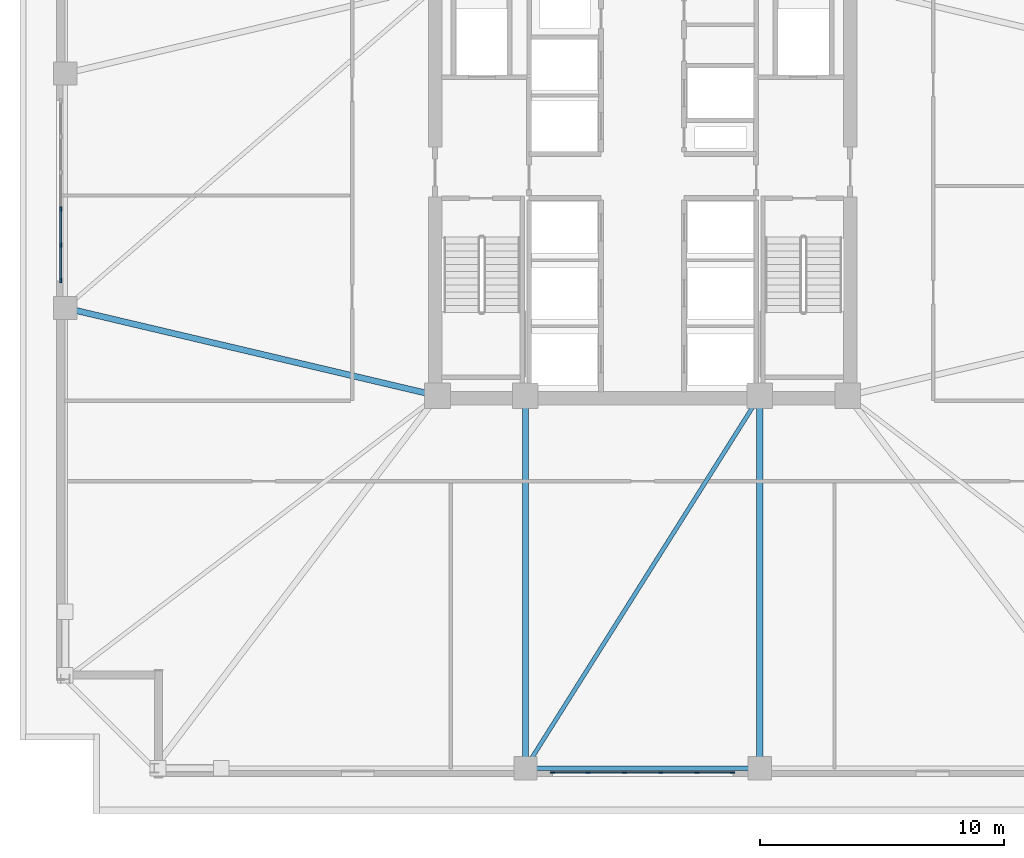
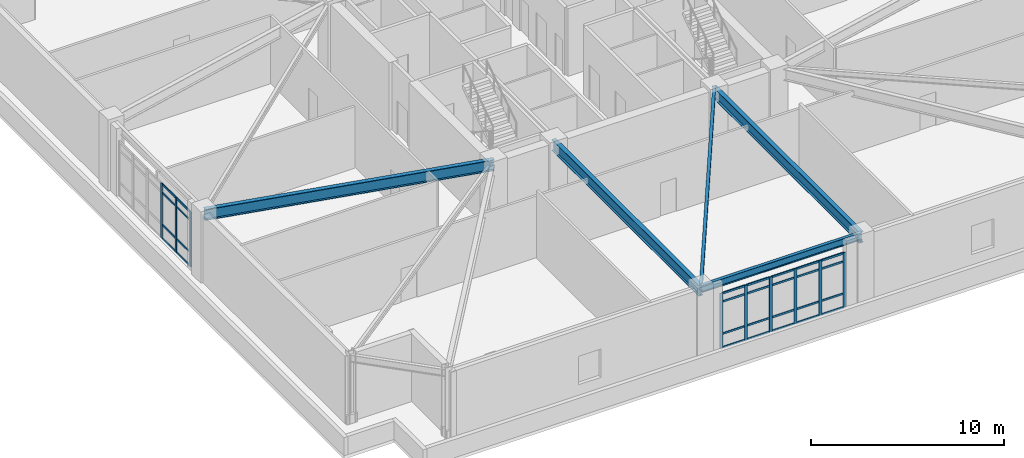
# One storey, part 2 of 13: 37 members, 5 beams, 2 elements without a shape of their own.
"""IFC4 building model written with IfcOpenShell, lengths in metres."""

import ifcopenshell
import ifcopenshell.guid

model = None  # the IFC model being written
_history = None  # IfcOwnerHistory: only IFC2X3 demands one
_inside = {}  # id of a spatial element -> (the spatial element, [elements in it])
_under = {}  # id of a project, library or spatial element -> (it, [spatial elements below it])
_declared = {}  # id of a project -> (the project, [libraries it declares])
_typed = {}  # id of a type object -> (the type object, [elements of that type])
_made_of = {}  # id of a material, layer set ... -> (it, [elements and type objects made of it])


def new_model(schema):
    """Start an empty IFC model of exactly this schema.

    Asked for "IFC4X3", IfcOpenShell would pick the latest addendum, in which some entities
    have other attributes; the version numbers below select the first issue.
    IFC2X3 requires an IfcOwnerHistory on every rooted entity: one is made here for all.
    """
    global model, _history
    if schema == "IFC4X3":
        model = ifcopenshell.file(schema_version=(4, 3, 0, 0))
    else:
        model = ifcopenshell.file(schema=schema)
    _inside.clear()
    _under.clear()
    _declared.clear()
    _typed.clear()
    _made_of.clear()
    _history = None
    if model.schema == "IFC2X3":
        org = make("IfcOrganization", Name="unknown")
        user = make(
            "IfcPersonAndOrganization",
            ThePerson=make("IfcPerson", FamilyName="unknown"),
            TheOrganization=org,
        )
        app = make(
            "IfcApplication",
            ApplicationDeveloper=org,
            Version="unknown",
            ApplicationFullName="unknown",
            ApplicationIdentifier="unknown",
        )
        _history = make(
            "IfcOwnerHistory",
            OwningUser=user,
            OwningApplication=app,
            ChangeAction="ADDED",
            CreationDate=0,
        )
    return model


def make(cls, **values):
    """One entity of the class cls with the attributes given. An attribute that is None is left unset."""
    return model.create_entity(
        cls, **{name: value for name, value in values.items() if value is not None}
    )


def rooted(cls, **values):
    """An entity with a GlobalId (a new one), such as an element, a storey or a relation."""
    return make(cls, GlobalId=ifcopenshell.guid.new(), OwnerHistory=_history, **values)


def si_unit(unit_type, name, prefix=None):
    """IfcSIUnit, for example si_unit("LENGTHUNIT", "METRE", prefix="MILLI")."""
    return make("IfcSIUnit", UnitType=unit_type, Prefix=prefix, Name=name)


def assignment(units):
    """IfcUnitAssignment: the units of a project."""
    return None if units is None else make("IfcUnitAssignment", Units=units)


def point(xyz):
    """IfcCartesianPoint."""
    return None if xyz is None else make("IfcCartesianPoint", Coordinates=xyz)


def direction(xyz):
    """IfcDirection."""
    return None if xyz is None else make("IfcDirection", DirectionRatios=xyz)


def frame(location, z_axis=None, x_axis=None):
    """IfcAxis2Placement3D, a coordinate frame: its origin and axes. An axis left out is left unset."""
    return make(
        "IfcAxis2Placement3D",
        Location=point(location),
        Axis=direction(z_axis),
        RefDirection=direction(x_axis),
    )


def frame_2d(location, x_axis=None):
    """IfcAxis2Placement2D, a coordinate frame in the plane: its origin and x axis."""
    return make(
        "IfcAxis2Placement2D", Location=point(location), RefDirection=direction(x_axis)
    )


def origin():
    """The frame at (0, 0, 0) with its axes left unset."""
    return frame((0.0, 0.0, 0.0))


def origin_2d():
    """The frame at (0, 0) in the plane with its x axis left unset."""
    return frame_2d((0.0, 0.0))


def place(relative_to, where):
    """IfcLocalPlacement: puts the frame where relative to a parent placement (None: the world)."""
    return make(
        "IfcLocalPlacement", PlacementRelTo=relative_to, RelativePlacement=where
    )


def context(
    kind, dimensions, precision=None, world=None, true_north=None, identifier=None
):
    """IfcGeometricRepresentationContext, for example the 3D "Model" context."""
    return make(
        "IfcGeometricRepresentationContext",
        ContextIdentifier=identifier,
        ContextType=kind,
        CoordinateSpaceDimension=dimensions,
        Precision=precision,
        WorldCoordinateSystem=world,
        TrueNorth=true_north,
    )


def subcontext(parent, identifier, kind, view, scale=None):
    """IfcGeometricRepresentationSubContext, for example "Body" below "Model"."""
    return make(
        "IfcGeometricRepresentationSubContext",
        ContextIdentifier=identifier,
        ContextType=kind,
        ParentContext=parent,
        TargetScale=scale,
        TargetView=view,
    )


def project(units=None, contexts=None):
    """IfcProject with its units and contexts."""
    return rooted(
        "IfcProject",
        Name="project",
        RepresentationContexts=contexts,
        UnitsInContext=assignment(units),
    )


def spatial(cls, under=None, at=None, **own):
    """A site, building, storey or space (cls), placed at a placement, below another one or the project."""
    s = rooted(cls, ObjectPlacement=at, **own)
    if under is not None:
        _under.setdefault(under.id(), (under, []))[1].append(s)
    return s


def profile(cls, at=None, kind="AREA", **sizes):
    """A parametric profile (cls). Its sizes go by their IFC names, for example OverallWidth=200.0."""
    return make(cls, ProfileType=kind, Position=at, **sizes)


def rectangle(**sizes):
    """IfcRectangleProfileDef."""
    return profile("IfcRectangleProfileDef", **sizes)


def i_section(**sizes):
    """IfcIShapeProfileDef."""
    return profile("IfcIShapeProfileDef", **sizes)


def extrude(swept, where, along, depth):
    """IfcExtrudedAreaSolid: the profile swept, set in the frame where, extruded along a direction by depth."""
    return make(
        "IfcExtrudedAreaSolid",
        SweptArea=swept,
        Position=where,
        ExtrudedDirection=direction(along),
        Depth=depth,
    )


def shape(context_of_items, identifier, shape_type, items):
    """IfcShapeRepresentation: the items that make up one representation, for example the "Body"."""
    return make(
        "IfcShapeRepresentation",
        ContextOfItems=context_of_items,
        RepresentationIdentifier=identifier,
        RepresentationType=shape_type,
        Items=items,
    )


def material(Name=None, Category=None):
    """IfcMaterial."""
    return make("IfcMaterial", Name=Name, Category=Category)


def layer(
    of_material, thickness, ventilated=None, Name=None, Category=None, Priority=None
):
    """IfcMaterialLayer: one layer of a wall or slab, of a material (None: an air gap)."""
    return make(
        "IfcMaterialLayer",
        Material=of_material,
        LayerThickness=thickness,
        IsVentilated=ventilated,
        Name=Name,
        Category=Category,
        Priority=Priority,
    )


def layer_set(layers, Name=None):
    """IfcMaterialLayerSet."""
    return make("IfcMaterialLayerSet", MaterialLayers=layers, LayerSetName=Name)


def material_profile(
    of_material, cross_section, Name=None, Category=None, Priority=None
):
    """IfcMaterialProfile: a cross section and its material."""
    return make(
        "IfcMaterialProfile",
        Name=Name,
        Material=of_material,
        Profile=cross_section,
        Priority=Priority,
        Category=Category,
    )


def profile_set(profiles, Name=None, composite=None):
    """IfcMaterialProfileSet."""
    return make(
        "IfcMaterialProfileSet",
        Name=Name,
        MaterialProfiles=profiles,
        CompositeProfile=composite,
    )


def made_of(thing, what):
    """Note that an element or type object is made of a material, layer set ...; save() writes the relation."""
    if what is not None:
        _made_of.setdefault(what.id(), (what, []))[1].append(thing)
    return thing


def type_object(cls, material=None, **own):
    """A type object (cls), such as IfcWallType, which elements share."""
    return made_of(rooted(cls, **own), material)


def element(
    cls,
    number,
    at=None,
    inside=None,
    cuts=None,
    type_object=None,
    material=None,
    context=None,
    identifier="Body",
    shape_type=None,
    held_by="IfcProductDefinitionShape",
    body=None,
    shapes=None,
    **own,
):
    """One element of the class cls, such as IfcWall. Its Tag is "e" and its number.

    at: its placement. inside: the storey or other place that contains it. cuts: it is an
    opening in that element (IfcRelVoidsElement). A single representation is given by context,
    identifier, shape_type and body (its items); several are given by shapes. held_by: the class
    of the entity that holds the representations. save() writes the other relations.
    """
    e = rooted(cls, Tag="e%d" % number, ObjectPlacement=at, **own)
    if body is not None:
        shapes = [shape(context, identifier, shape_type, body)]
    if shapes is not None:
        e.Representation = make(held_by, Representations=shapes)
    if inside is not None:
        _inside.setdefault(inside.id(), (inside, []))[1].append(e)
    if cuts is not None:
        rooted(
            "IfcRelVoidsElement", RelatingBuildingElement=cuts, RelatedOpeningElement=e
        )
    if type_object is not None:
        _typed.setdefault(type_object.id(), (type_object, []))[1].append(e)
    return made_of(e, material)


def aggregate(whole, parts):
    """IfcRelAggregates: a whole, such as a stair, and the parts it consists of."""
    return rooted("IfcRelAggregates", RelatingObject=whole, RelatedObjects=parts)


def save(model, path):
    """Write the relations noted so far, then the file.

    IfcRelAggregates (storeys below a building ...), IfcRelContainedInSpatialStructure (elements
    in a storey), IfcRelDefinesByType, IfcRelAssociatesMaterial and IfcRelDeclares: one each for
    every whole, place, type object, material and project.
    """
    for whole, parts in _under.values():
        aggregate(whole, parts)
    for where, things in _inside.values():
        rooted(
            "IfcRelContainedInSpatialStructure",
            RelatedElements=things,
            RelatingStructure=where,
        )
    for kind, things in _typed.values():
        rooted("IfcRelDefinesByType", RelatedObjects=things, RelatingType=kind)
    for what, things in _made_of.values():
        rooted("IfcRelAssociatesMaterial", RelatedObjects=things, RelatingMaterial=what)
    for by, libraries in _declared.values():
        rooted("IfcRelDeclares", RelatingContext=by, RelatedDefinitions=libraries)
    model.write(path)


model = new_model("IFC4")

# Units and contexts
model_context = context("Model", 3, precision=1e-05, world=origin(), true_north=direction((0.0, 1.0)))
body_context = subcontext(model_context, "Body", "Model", "MODEL_VIEW")
ifc_project = project(units=[si_unit("LENGTHUNIT", "METRE"), si_unit("AREAUNIT", "SQUARE_METRE"), si_unit("VOLUMEUNIT", "CUBIC_METRE"), si_unit("PLANEANGLEUNIT", "RADIAN"), si_unit("MASSUNIT", "GRAM", prefix="KILO")], contexts=[model_context])

# Site, building, storey
site_placement = place(None, origin())
site = spatial("IfcSite", under=ifc_project, at=site_placement, CompositionType="ELEMENT")
building_placement = place(site_placement, origin())
building = spatial("IfcBuilding", under=site, at=building_placement, Name="Cairnveth Concourse Tower", CompositionType="ELEMENT")
storey_placement = place(building_placement, frame((0.0, 0.0, 101.5)))
storey = spatial("IfcBuildingStorey", under=building, at=storey_placement, Name="L27", CompositionType="ELEMENT", Elevation=101.5)

# Curtain wall, members
ifc_material_1 = material(Name="Architectural Bronze Anodised Aluminium 6063-T6", Category="aluminium")
ifc_layer = layer(ifc_material_1, 0.320068359375)
ifc_layer_set = layer_set([ifc_layer], Name="Architectural Bronze Anodised Aluminium 6063-T6")
curtain_wall_type = type_object("IfcCurtainWallType", Name="SKY LOBBY WINTERGARDEN CURTAIN WALL", PredefinedType="USERDEFINED", material=ifc_layer_set)
curtain_wall_1_placement = place(storey_placement, origin())
curtain_wall_1 = element("IfcCurtainWall", 1, at=curtain_wall_1_placement, inside=storey, type_object=curtain_wall_type, Name="Curtain Wall CW-L27-F6", ObjectType="UNITISED FACADE", PredefinedType="USERDEFINED")
ifc_material_profile_1 = material_profile(ifc_material_1, rectangle(XDim=0.06494140625, YDim=0.179931640625, at=origin_2d()), Name="AL-MUL-65x180")
ifc_profile_set_1 = profile_set([ifc_material_profile_1], Name="Architectural Bronze Anodised Aluminium 6063-T6")
member_type_1 = type_object("IfcMemberType", Name="BRONZE CURTAIN WALL MULLION AL-MUL-65x180", PredefinedType="MULLION", material=ifc_profile_set_1)
member_1_placement = place(storey_placement, frame((55.6826171875, 15.169921875, 0.0), z_axis=(0.0, 0.0, 1.0), x_axis=(0.0, -1.0, 0.0)))
member_1 = element("IfcMember", 2, at=member_1_placement, type_object=member_type_1, Name="CWS4 mullion 1", PredefinedType="MULLION", context=body_context, shape_type="SweptSolid", body=[
    extrude(rectangle(XDim=0.06494140625, YDim=0.179931640625, at=origin_2d()), origin(), (0.0, 0.0, 1.0), 3.47998046875),
])
member_2_placement = place(storey_placement, frame((54.22900390625, 15.169921875, 0.0), z_axis=(0.0, 0.0, 1.0), x_axis=(0.0, -1.0, 0.0)))
member_2 = element("IfcMember", 3, at=member_2_placement, type_object=member_type_1, Name="CWS4 mullion 2", PredefinedType="MULLION", context=body_context, shape_type="SweptSolid", body=[
    extrude(rectangle(XDim=0.06494140625, YDim=0.179931640625, at=origin_2d()), origin(), (0.0, 0.0, 1.0), 3.47998046875),
])
member_3_placement = place(storey_placement, frame((52.742919921875, 15.169921875, 0.0), z_axis=(0.0, 0.0, 1.0), x_axis=(0.0, -1.0, 0.0)))
member_3 = element("IfcMember", 4, at=member_3_placement, type_object=member_type_1, Name="CWS4 mullion 3", PredefinedType="MULLION", context=body_context, shape_type="SweptSolid", body=[
    extrude(rectangle(XDim=0.06494140625, YDim=0.179931640625, at=origin_2d()), origin(), (0.0, 0.0, 1.0), 3.47998046875),
])
member_4_placement = place(storey_placement, frame((51.257080078125, 15.169921875, 0.0), z_axis=(0.0, 0.0, 1.0), x_axis=(0.0, -1.0, 0.0)))
member_4 = element("IfcMember", 5, at=member_4_placement, type_object=member_type_1, Name="CWS4 mullion 4", PredefinedType="MULLION", context=body_context, shape_type="SweptSolid", body=[
    extrude(rectangle(XDim=0.06494140625, YDim=0.179931640625, at=origin_2d()), origin(), (0.0, 0.0, 1.0), 3.47998046875),
])
member_5_placement = place(storey_placement, frame((49.77099609375, 15.169921875, 0.0), z_axis=(0.0, 0.0, 1.0), x_axis=(0.0, -1.0, 0.0)))
member_5 = element("IfcMember", 6, at=member_5_placement, type_object=member_type_1, Name="CWS4 mullion 5", PredefinedType="MULLION", context=body_context, shape_type="SweptSolid", body=[
    extrude(rectangle(XDim=0.06494140625, YDim=0.179931640625, at=origin_2d()), origin(), (0.0, 0.0, 1.0), 3.47998046875),
])
member_6_placement = place(storey_placement, frame((48.3173828125, 15.169921875, 0.0), z_axis=(0.0, 0.0, 1.0), x_axis=(0.0, -1.0, 0.0)))
member_6 = element("IfcMember", 7, at=member_6_placement, type_object=member_type_1, Name="CWS4 mullion 6", PredefinedType="MULLION", context=body_context, shape_type="SweptSolid", body=[
    extrude(rectangle(XDim=0.06494140625, YDim=0.179931640625, at=origin_2d()), origin(), (0.0, 0.0, 1.0), 3.47998046875),
])

curtain_wall_2_placement = place(storey_placement, origin())
curtain_wall_2 = element("IfcCurtainWall", 8, at=curtain_wall_2_placement, inside=storey, type_object=curtain_wall_type, Name="Curtain Wall CW-L27-F9", ObjectType="UNITISED FACADE", PredefinedType="USERDEFINED")
member_7_placement = place(storey_placement, frame((28.169921875, 35.3173828125, 0.0), z_axis=(0.0, 0.0, 1.0), x_axis=(-1.0, 0.0, 0.0)))
member_7 = element("IfcMember", 9, at=member_7_placement, type_object=member_type_1, Name="CWS4 mullion 1", PredefinedType="MULLION", context=body_context, shape_type="SweptSolid", body=[
    extrude(rectangle(XDim=0.06494140625, YDim=0.179931640625, at=origin_2d()), origin(), (0.0, 0.0, 1.0), 3.47998046875),
])
member_8_placement = place(storey_placement, frame((28.169921875, 36.77099609375, 0.0), z_axis=(0.0, 0.0, 1.0), x_axis=(-1.0, 0.0, 0.0)))
member_8 = element("IfcMember", 10, at=member_8_placement, type_object=member_type_1, Name="CWS4 mullion 2", PredefinedType="MULLION", context=body_context, shape_type="SweptSolid", body=[
    extrude(rectangle(XDim=0.06494140625, YDim=0.179931640625, at=origin_2d()), origin(), (0.0, 0.0, 1.0), 3.47998046875),
])
member_9_placement = place(storey_placement, frame((28.169921875, 38.257080078125, 0.0), z_axis=(0.0, 0.0, 1.0), x_axis=(-1.0, 0.0, 0.0)))
member_9 = element("IfcMember", 11, at=member_9_placement, type_object=member_type_1, Name="CWS4 mullion 3", PredefinedType="MULLION", context=body_context, shape_type="SweptSolid", body=[
    extrude(rectangle(XDim=0.06494140625, YDim=0.179931640625, at=origin_2d()), origin(), (0.0, 0.0, 1.0), 3.47998046875),
])

# Member
ifc_material_profile_2 = material_profile(ifc_material_1, rectangle(XDim=0.06494140625, YDim=0.1201171875, at=origin_2d()), Name="AL-TRN-65x120")
ifc_profile_set_2 = profile_set([ifc_material_profile_2], Name="Architectural Bronze Anodised Aluminium 6063-T6")
member_type_2 = type_object("IfcMemberType", Name="BRONZE CURTAIN WALL TRANSOM AL-TRN-65x120", PredefinedType="USERDEFINED", material=ifc_profile_set_2)
member_10_placement = place(storey_placement, frame((55.64990234375, 15.169921875, 0.032470703125), z_axis=(-1.0, 0.0, 0.0), x_axis=(0.0, -1.0, 0.0)))
member_10 = element("IfcMember", 12, at=member_10_placement, type_object=member_type_2, Name="CWS4 transom 1.1", ObjectType="TRANSOM", PredefinedType="USERDEFINED", context=body_context, shape_type="SweptSolid", body=[
    extrude(rectangle(XDim=0.06494140625, YDim=0.1201171875, at=origin_2d()), origin(), (0.0, 0.0, 1.0), 1.388427734375),
])

member_11_placement = place(storey_placement, frame((55.64990234375, 15.169921875, 0.89990234375), z_axis=(-1.0, 0.0, 0.0), x_axis=(0.0, -1.0, 0.0)))
member_11 = element("IfcMember", 13, at=member_11_placement, type_object=member_type_2, Name="CWS4 transom 1.2", ObjectType="TRANSOM", PredefinedType="USERDEFINED", context=body_context, shape_type="SweptSolid", body=[
    extrude(rectangle(XDim=0.06494140625, YDim=0.1201171875, at=origin_2d()), origin(), (0.0, 0.0, 1.0), 1.388427734375),
])

member_12_placement = place(storey_placement, frame((55.64990234375, 15.169921875, 2.929931640625), z_axis=(-1.0, 0.0, 0.0), x_axis=(0.0, -1.0, 0.0)))
member_12 = element("IfcMember", 14, at=member_12_placement, type_object=member_type_2, Name="CWS4 transom 1.3", ObjectType="TRANSOM", PredefinedType="USERDEFINED", context=body_context, shape_type="SweptSolid", body=[
    extrude(rectangle(XDim=0.06494140625, YDim=0.1201171875, at=origin_2d()), origin(), (0.0, 0.0, 1.0), 1.388427734375),
])

member_13_placement = place(storey_placement, frame((55.64990234375, 15.169921875, 3.447509765625), z_axis=(-1.0, 0.0, 0.0), x_axis=(0.0, -1.0, 0.0)))
member_13 = element("IfcMember", 15, at=member_13_placement, type_object=member_type_2, Name="CWS4 transom 1.4", ObjectType="TRANSOM", PredefinedType="USERDEFINED", context=body_context, shape_type="SweptSolid", body=[
    extrude(rectangle(XDim=0.06494140625, YDim=0.1201171875, at=origin_2d()), origin(), (0.0, 0.0, 1.0), 1.388427734375),
])

member_14_placement = place(storey_placement, frame((54.196533203125, 15.169921875, 0.032470703125), z_axis=(-1.0, 0.0, 0.0), x_axis=(0.0, -1.0, 0.0)))
member_14 = element("IfcMember", 16, at=member_14_placement, type_object=member_type_2, Name="CWS4 transom 2.1", ObjectType="TRANSOM", PredefinedType="USERDEFINED", context=body_context, shape_type="SweptSolid", body=[
    extrude(rectangle(XDim=0.06494140625, YDim=0.1201171875, at=origin_2d()), origin(), (0.0, 0.0, 1.0), 1.421142578125),
])

member_15_placement = place(storey_placement, frame((54.196533203125, 15.169921875, 0.89990234375), z_axis=(-1.0, 0.0, 0.0), x_axis=(0.0, -1.0, 0.0)))
member_15 = element("IfcMember", 17, at=member_15_placement, type_object=member_type_2, Name="CWS4 transom 2.2", ObjectType="TRANSOM", PredefinedType="USERDEFINED", context=body_context, shape_type="SweptSolid", body=[
    extrude(rectangle(XDim=0.06494140625, YDim=0.1201171875, at=origin_2d()), origin(), (0.0, 0.0, 1.0), 1.421142578125),
])

member_16_placement = place(storey_placement, frame((54.196533203125, 15.169921875, 2.929931640625), z_axis=(-1.0, 0.0, 0.0), x_axis=(0.0, -1.0, 0.0)))
member_16 = element("IfcMember", 18, at=member_16_placement, type_object=member_type_2, Name="CWS4 transom 2.3", ObjectType="TRANSOM", PredefinedType="USERDEFINED", context=body_context, shape_type="SweptSolid", body=[
    extrude(rectangle(XDim=0.06494140625, YDim=0.1201171875, at=origin_2d()), origin(), (0.0, 0.0, 1.0), 1.421142578125),
])

member_17_placement = place(storey_placement, frame((54.196533203125, 15.169921875, 3.447509765625), z_axis=(-1.0, 0.0, 0.0), x_axis=(0.0, -1.0, 0.0)))
member_17 = element("IfcMember", 19, at=member_17_placement, type_object=member_type_2, Name="CWS4 transom 2.4", ObjectType="TRANSOM", PredefinedType="USERDEFINED", context=body_context, shape_type="SweptSolid", body=[
    extrude(rectangle(XDim=0.06494140625, YDim=0.1201171875, at=origin_2d()), origin(), (0.0, 0.0, 1.0), 1.421142578125),
])

member_18_placement = place(storey_placement, frame((52.71044921875, 15.169921875, 0.032470703125), z_axis=(-1.0, 0.0, 0.0), x_axis=(0.0, -1.0, 0.0)))
member_18 = element("IfcMember", 20, at=member_18_placement, type_object=member_type_2, Name="CWS4 transom 3.1", ObjectType="TRANSOM", PredefinedType="USERDEFINED", context=body_context, shape_type="SweptSolid", body=[
    extrude(rectangle(XDim=0.06494140625, YDim=0.1201171875, at=origin_2d()), origin(), (0.0, 0.0, 1.0), 1.4208984375),
])

member_19_placement = place(storey_placement, frame((52.71044921875, 15.169921875, 0.89990234375), z_axis=(-1.0, 0.0, 0.0), x_axis=(0.0, -1.0, 0.0)))
member_19 = element("IfcMember", 21, at=member_19_placement, type_object=member_type_2, Name="CWS4 transom 3.2", ObjectType="TRANSOM", PredefinedType="USERDEFINED", context=body_context, shape_type="SweptSolid", body=[
    extrude(rectangle(XDim=0.06494140625, YDim=0.1201171875, at=origin_2d()), origin(), (0.0, 0.0, 1.0), 1.4208984375),
])

member_20_placement = place(storey_placement, frame((52.71044921875, 15.169921875, 2.929931640625), z_axis=(-1.0, 0.0, 0.0), x_axis=(0.0, -1.0, 0.0)))
member_20 = element("IfcMember", 22, at=member_20_placement, type_object=member_type_2, Name="CWS4 transom 3.3", ObjectType="TRANSOM", PredefinedType="USERDEFINED", context=body_context, shape_type="SweptSolid", body=[
    extrude(rectangle(XDim=0.06494140625, YDim=0.1201171875, at=origin_2d()), origin(), (0.0, 0.0, 1.0), 1.4208984375),
])

member_21_placement = place(storey_placement, frame((52.71044921875, 15.169921875, 3.447509765625), z_axis=(-1.0, 0.0, 0.0), x_axis=(0.0, -1.0, 0.0)))
member_21 = element("IfcMember", 23, at=member_21_placement, type_object=member_type_2, Name="CWS4 transom 3.4", ObjectType="TRANSOM", PredefinedType="USERDEFINED", context=body_context, shape_type="SweptSolid", body=[
    extrude(rectangle(XDim=0.06494140625, YDim=0.1201171875, at=origin_2d()), origin(), (0.0, 0.0, 1.0), 1.4208984375),
])

member_22_placement = place(storey_placement, frame((51.224609375, 15.169921875, 0.032470703125), z_axis=(-1.0, 0.0, 0.0), x_axis=(0.0, -1.0, 0.0)))
member_22 = element("IfcMember", 24, at=member_22_placement, type_object=member_type_2, Name="CWS4 transom 4.1", ObjectType="TRANSOM", PredefinedType="USERDEFINED", context=body_context, shape_type="SweptSolid", body=[
    extrude(rectangle(XDim=0.06494140625, YDim=0.1201171875, at=origin_2d()), origin(), (0.0, 0.0, 1.0), 1.421142578125),
])

member_23_placement = place(storey_placement, frame((51.224609375, 15.169921875, 0.89990234375), z_axis=(-1.0, 0.0, 0.0), x_axis=(0.0, -1.0, 0.0)))
member_23 = element("IfcMember", 25, at=member_23_placement, type_object=member_type_2, Name="CWS4 transom 4.2", ObjectType="TRANSOM", PredefinedType="USERDEFINED", context=body_context, shape_type="SweptSolid", body=[
    extrude(rectangle(XDim=0.06494140625, YDim=0.1201171875, at=origin_2d()), origin(), (0.0, 0.0, 1.0), 1.421142578125),
])

member_24_placement = place(storey_placement, frame((51.224609375, 15.169921875, 2.929931640625), z_axis=(-1.0, 0.0, 0.0), x_axis=(0.0, -1.0, 0.0)))
member_24 = element("IfcMember", 26, at=member_24_placement, type_object=member_type_2, Name="CWS4 transom 4.3", ObjectType="TRANSOM", PredefinedType="USERDEFINED", context=body_context, shape_type="SweptSolid", body=[
    extrude(rectangle(XDim=0.06494140625, YDim=0.1201171875, at=origin_2d()), origin(), (0.0, 0.0, 1.0), 1.421142578125),
])

member_25_placement = place(storey_placement, frame((51.224609375, 15.169921875, 3.447509765625), z_axis=(-1.0, 0.0, 0.0), x_axis=(0.0, -1.0, 0.0)))
member_25 = element("IfcMember", 27, at=member_25_placement, type_object=member_type_2, Name="CWS4 transom 4.4", ObjectType="TRANSOM", PredefinedType="USERDEFINED", context=body_context, shape_type="SweptSolid", body=[
    extrude(rectangle(XDim=0.06494140625, YDim=0.1201171875, at=origin_2d()), origin(), (0.0, 0.0, 1.0), 1.421142578125),
])

member_26_placement = place(storey_placement, frame((49.738525390625, 15.169921875, 0.032470703125), z_axis=(-1.0, 0.0, 0.0), x_axis=(0.0, -1.0, 0.0)))
member_26 = element("IfcMember", 28, at=member_26_placement, type_object=member_type_2, Name="CWS4 transom 5.1", ObjectType="TRANSOM", PredefinedType="USERDEFINED", context=body_context, shape_type="SweptSolid", body=[
    extrude(rectangle(XDim=0.06494140625, YDim=0.1201171875, at=origin_2d()), origin(), (0.0, 0.0, 1.0), 1.388427734375),
])

member_27_placement = place(storey_placement, frame((49.738525390625, 15.169921875, 0.89990234375), z_axis=(-1.0, 0.0, 0.0), x_axis=(0.0, -1.0, 0.0)))
member_27 = element("IfcMember", 29, at=member_27_placement, type_object=member_type_2, Name="CWS4 transom 5.2", ObjectType="TRANSOM", PredefinedType="USERDEFINED", context=body_context, shape_type="SweptSolid", body=[
    extrude(rectangle(XDim=0.06494140625, YDim=0.1201171875, at=origin_2d()), origin(), (0.0, 0.0, 1.0), 1.388427734375),
])

member_28_placement = place(storey_placement, frame((49.738525390625, 15.169921875, 2.929931640625), z_axis=(-1.0, 0.0, 0.0), x_axis=(0.0, -1.0, 0.0)))
member_28 = element("IfcMember", 30, at=member_28_placement, type_object=member_type_2, Name="CWS4 transom 5.3", ObjectType="TRANSOM", PredefinedType="USERDEFINED", context=body_context, shape_type="SweptSolid", body=[
    extrude(rectangle(XDim=0.06494140625, YDim=0.1201171875, at=origin_2d()), origin(), (0.0, 0.0, 1.0), 1.388427734375),
])

member_29_placement = place(storey_placement, frame((49.738525390625, 15.169921875, 3.447509765625), z_axis=(-1.0, 0.0, 0.0), x_axis=(0.0, -1.0, 0.0)))
member_29 = element("IfcMember", 31, at=member_29_placement, type_object=member_type_2, Name="CWS4 transom 5.4", ObjectType="TRANSOM", PredefinedType="USERDEFINED", context=body_context, shape_type="SweptSolid", body=[
    extrude(rectangle(XDim=0.06494140625, YDim=0.1201171875, at=origin_2d()), origin(), (0.0, 0.0, 1.0), 1.388427734375),
])

aggregate(curtain_wall_1, [member_1, member_2, member_3, member_4, member_5, member_6, member_10, member_11, member_12, member_13, member_14, member_15, member_16, member_17, member_18, member_19, member_20, member_21, member_22, member_23, member_24, member_25, member_26, member_27, member_28, member_29])

member_30_placement = place(storey_placement, frame((28.169921875, 35.35009765625, 0.032470703125), z_axis=(0.0, 1.0, 0.0), x_axis=(-1.0, 0.0, 0.0)))
member_30 = element("IfcMember", 32, at=member_30_placement, type_object=member_type_2, Name="CWS4 transom 1.1", ObjectType="TRANSOM", PredefinedType="USERDEFINED", context=body_context, shape_type="SweptSolid", body=[
    extrude(rectangle(XDim=0.06494140625, YDim=0.1201171875, at=origin_2d()), origin(), (0.0, 0.0, 1.0), 1.388427734375),
])

member_31_placement = place(storey_placement, frame((28.169921875, 35.35009765625, 0.89990234375), z_axis=(0.0, 1.0, 0.0), x_axis=(-1.0, 0.0, 0.0)))
member_31 = element("IfcMember", 33, at=member_31_placement, type_object=member_type_2, Name="CWS4 transom 1.2", ObjectType="TRANSOM", PredefinedType="USERDEFINED", context=body_context, shape_type="SweptSolid", body=[
    extrude(rectangle(XDim=0.06494140625, YDim=0.1201171875, at=origin_2d()), origin(), (0.0, 0.0, 1.0), 1.388427734375),
])

member_32_placement = place(storey_placement, frame((28.169921875, 35.35009765625, 2.929931640625), z_axis=(0.0, 1.0, 0.0), x_axis=(-1.0, 0.0, 0.0)))
member_32 = element("IfcMember", 34, at=member_32_placement, type_object=member_type_2, Name="CWS4 transom 1.3", ObjectType="TRANSOM", PredefinedType="USERDEFINED", context=body_context, shape_type="SweptSolid", body=[
    extrude(rectangle(XDim=0.06494140625, YDim=0.1201171875, at=origin_2d()), origin(), (0.0, 0.0, 1.0), 1.388427734375),
])

member_33_placement = place(storey_placement, frame((28.169921875, 35.35009765625, 3.447509765625), z_axis=(0.0, 1.0, 0.0), x_axis=(-1.0, 0.0, 0.0)))
member_33 = element("IfcMember", 35, at=member_33_placement, type_object=member_type_2, Name="CWS4 transom 1.4", ObjectType="TRANSOM", PredefinedType="USERDEFINED", context=body_context, shape_type="SweptSolid", body=[
    extrude(rectangle(XDim=0.06494140625, YDim=0.1201171875, at=origin_2d()), origin(), (0.0, 0.0, 1.0), 1.388427734375),
])

member_34_placement = place(storey_placement, frame((28.169921875, 36.803466796875, 0.032470703125), z_axis=(0.0, 1.0, 0.0), x_axis=(-1.0, 0.0, 0.0)))
member_34 = element("IfcMember", 36, at=member_34_placement, type_object=member_type_2, Name="CWS4 transom 2.1", ObjectType="TRANSOM", PredefinedType="USERDEFINED", context=body_context, shape_type="SweptSolid", body=[
    extrude(rectangle(XDim=0.06494140625, YDim=0.1201171875, at=origin_2d()), origin(), (0.0, 0.0, 1.0), 1.421142578125),
])

member_35_placement = place(storey_placement, frame((28.169921875, 36.803466796875, 0.89990234375), z_axis=(0.0, 1.0, 0.0), x_axis=(-1.0, 0.0, 0.0)))
member_35 = element("IfcMember", 37, at=member_35_placement, type_object=member_type_2, Name="CWS4 transom 2.2", ObjectType="TRANSOM", PredefinedType="USERDEFINED", context=body_context, shape_type="SweptSolid", body=[
    extrude(rectangle(XDim=0.06494140625, YDim=0.1201171875, at=origin_2d()), origin(), (0.0, 0.0, 1.0), 1.421142578125),
])

member_36_placement = place(storey_placement, frame((28.169921875, 36.803466796875, 2.929931640625), z_axis=(0.0, 1.0, 0.0), x_axis=(-1.0, 0.0, 0.0)))
member_36 = element("IfcMember", 38, at=member_36_placement, type_object=member_type_2, Name="CWS4 transom 2.3", ObjectType="TRANSOM", PredefinedType="USERDEFINED", context=body_context, shape_type="SweptSolid", body=[
    extrude(rectangle(XDim=0.06494140625, YDim=0.1201171875, at=origin_2d()), origin(), (0.0, 0.0, 1.0), 1.421142578125),
])

member_37_placement = place(storey_placement, frame((28.169921875, 36.803466796875, 3.447509765625), z_axis=(0.0, 1.0, 0.0), x_axis=(-1.0, 0.0, 0.0)))
member_37 = element("IfcMember", 39, at=member_37_placement, type_object=member_type_2, Name="CWS4 transom 2.4", ObjectType="TRANSOM", PredefinedType="USERDEFINED", context=body_context, shape_type="SweptSolid", body=[
    extrude(rectangle(XDim=0.06494140625, YDim=0.1201171875, at=origin_2d()), origin(), (0.0, 0.0, 1.0), 1.421142578125),
])

aggregate(curtain_wall_2, [member_7, member_8, member_9, member_30, member_31, member_32, member_33, member_34, member_35, member_36, member_37])

# Beams
ifc_material_2 = material(Name="Steel Grade 350", Category="steel")
ifc_material_profile_3 = material_profile(ifc_material_2, i_section(OverallWidth=0.172119140625, OverallDepth=0.35888671875, WebThickness=0.008056640625, FlangeThickness=0.012939453125, FilletRadius=0.010986328125, at=origin_2d()), Name="360UB56.7")
ifc_profile_set_3 = profile_set([ifc_material_profile_3], Name="Steel Grade 350")
beam_type_1 = type_object("IfcBeamType", Name="ZONE 2 FLOOR JOIST 360UB56.7", PredefinedType="JOIST", material=ifc_profile_set_3)
beam_1_placement = place(storey_placement, frame((47.199951171875, 15.35009765625, 4.1005859375), z_axis=(0.532743557037, 0.84627672923, 0.0), x_axis=(-0.84627672923, 0.532743557037, 0.0)))
element("IfcBeam", 40, at=beam_1_placement, inside=storey, type_object=beam_type_1, Name="Beam FJ-S-M1 L27", PredefinedType="JOIST", context=body_context, shape_type="SweptSolid", body=[
    extrude(i_section(OverallWidth=0.172119140625, OverallDepth=0.35888671875, WebThickness=0.008056640625, FlangeThickness=0.012939453125, FilletRadius=0.010986328125, at=origin_2d()), origin(), (0.0, 0.0, 1.0), 18.02001953125),
])
ifc_material_profile_4 = material_profile(ifc_material_2, i_section(OverallWidth=0.25, OverallDepth=0.699951171875, WebThickness=0.011962890625, FlangeThickness=0.028076171875, at=origin_2d()), Name="700WB173")
ifc_profile_set_4 = profile_set([ifc_material_profile_4], Name="Steel Grade 350")
beam_type_2 = type_object("IfcBeamType", Name="ZONE 2 RADIAL GIRDER 700WB173", PredefinedType="BEAM", material=ifc_profile_set_4)
for number, where, z_axis, x_axis, name in (
    (41, (47.199951171875, 15.35009765625, 3.929931640625), (0.0, 1.0, 0.0), (-1.0, 0.0, 0.0), "Beam RG-S1 L27"),
    (42, (56.800048828125, 15.35009765625, 3.929931640625), (0.0, 1.0, 0.0), (-1.0, 0.0, 0.0), "Beam RG-S2 L27"),
):
    element("IfcBeam", number, at=place(storey_placement, frame(where, z_axis=z_axis, x_axis=x_axis)), inside=storey, type_object=beam_type_2, Name=name, PredefinedType="BEAM", context=body_context, shape_type="SweptSolid", body=[
        extrude(i_section(OverallWidth=0.25, OverallDepth=0.699951171875, WebThickness=0.011962890625, FlangeThickness=0.028076171875, at=origin_2d()), origin(), (0.0, 0.0, 1.0), 15.25),
    ])
beam_2_placement = place(storey_placement, frame((28.35009765625, 34.199951171875, 3.929931640625), z_axis=(0.973251602929, -0.229741849468, 0.0), x_axis=(0.229741849468, 0.973251602929, 0.0)))
element("IfcBeam", 43, at=beam_2_placement, inside=storey, type_object=beam_type_2, Name="Beam RG-W1 L27", PredefinedType="BEAM", context=body_context, shape_type="SweptSolid", body=[
    extrude(i_section(OverallWidth=0.25, OverallDepth=0.699951171875, WebThickness=0.011962890625, FlangeThickness=0.028076171875, at=origin_2d()), origin(), (0.0, 0.0, 1.0), 15.669189453125),
])
ifc_material_profile_5 = material_profile(ifc_material_2, i_section(OverallWidth=0.18994140625, OverallDepth=0.45703125, WebThickness=0.009033203125, FlangeThickness=0.014404296875, FilletRadius=0.010986328125, at=origin_2d()), Name="460UB74.6")
ifc_profile_set_5 = profile_set([ifc_material_profile_5], Name="Steel Grade 350")
beam_type_3 = type_object("IfcBeamType", Name="ZONE 2 SPANDREL BEAM 460UB74.6", PredefinedType="SPANDREL", material=ifc_profile_set_5)
beam_3_placement = place(storey_placement, frame((47.199951171875, 15.35009765625, 4.051513671875), z_axis=(1.0, 0.0, 0.0), x_axis=(0.0, 1.0, 0.0)))
element("IfcBeam", 44, at=beam_3_placement, inside=storey, type_object=beam_type_3, Name="Beam SP-S2 L27", PredefinedType="SPANDREL", context=body_context, shape_type="SweptSolid", body=[
    extrude(i_section(OverallWidth=0.18994140625, OverallDepth=0.45703125, WebThickness=0.009033203125, FlangeThickness=0.014404296875, FilletRadius=0.010986328125, at=origin_2d()), origin(), (0.0, 0.0, 1.0), 9.60009765625),
])

save(model, "model.ifc")
